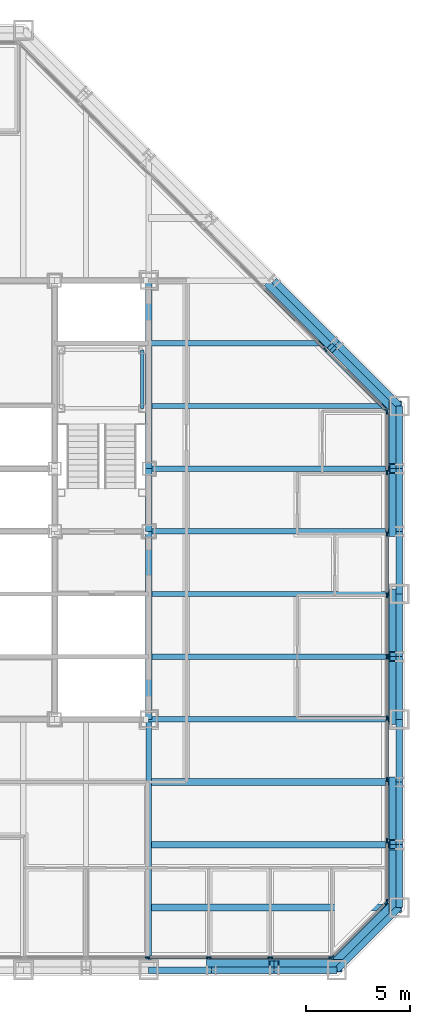
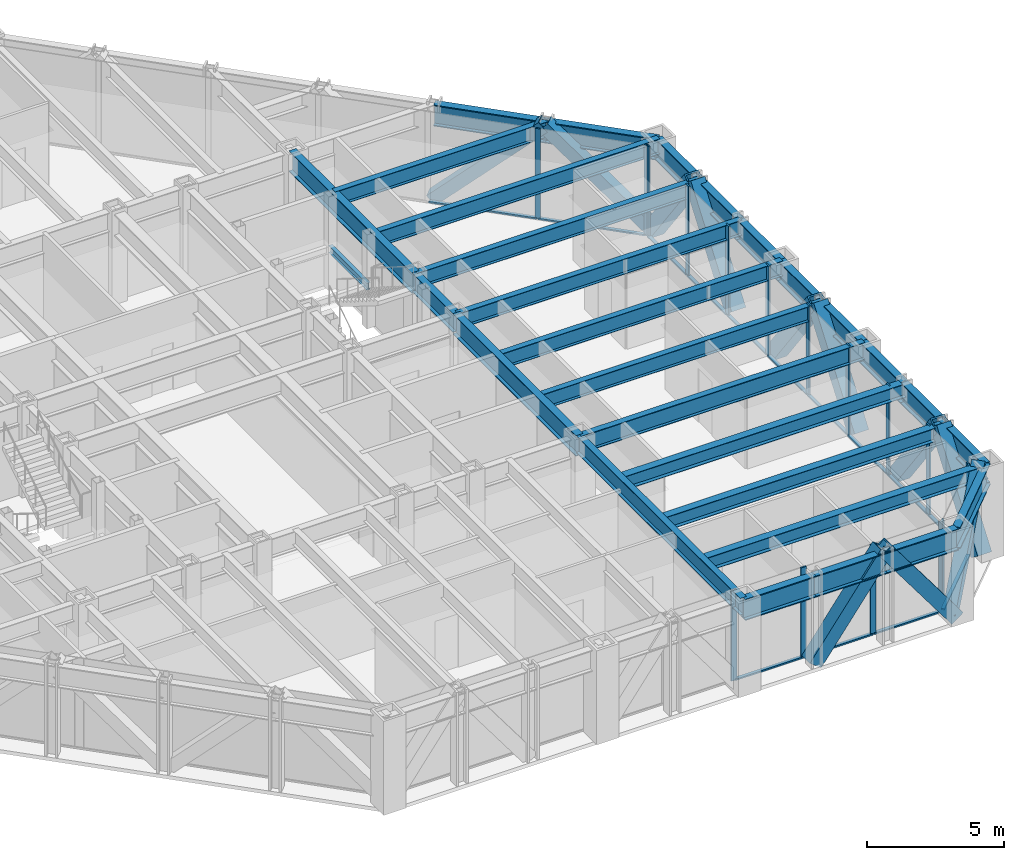
# One storey, part 6 of 16: 42 members, 29 beams, 4 elements without a shape of their own.
"""IFC4 building model written with IfcOpenShell, lengths in metres."""

from ifc_helpers import new_model, si_unit, direction, frame, origin, origin_2d, place, context, subcontext, project, spatial, rectangle, hollow_rectangle, i_section, extrude, material, layer, layer_set, material_profile, profile_set, type_object, element, aggregate, save


model = new_model("IFC4")

# Units and contexts
model_context = context("Model", 3, precision=1e-05, world=origin(), true_north=direction((0.0, 1.0)))
body_context = subcontext(model_context, "Body", "Model", "MODEL_VIEW")
ifc_project = project(units=[si_unit("LENGTHUNIT", "METRE"), si_unit("AREAUNIT", "SQUARE_METRE"), si_unit("VOLUMEUNIT", "CUBIC_METRE"), si_unit("PLANEANGLEUNIT", "RADIAN"), si_unit("MASSUNIT", "GRAM", prefix="KILO")], contexts=[model_context])

# Site, building, storey
site_placement = place(None, origin())
site = spatial("IfcSite", under=ifc_project, at=site_placement, CompositionType="ELEMENT")
building_placement = place(site_placement, origin())
building = spatial("IfcBuilding", under=site, at=building_placement, Name="Chuquiago Exchange Tower", CompositionType="ELEMENT")
storey_placement = place(building_placement, frame((0.0, 0.0, 157.199951171875)))
storey = spatial("IfcBuildingStorey", under=building, at=storey_placement, Name="L34", CompositionType="ELEMENT", Elevation=157.199951171875)

# Beams
ifc_material_1 = material(Name="Steel ASTM A992", Category="steel")
ifc_material_profile_1 = material_profile(ifc_material_1, i_section(OverallWidth=0.25390625, OverallDepth=0.683349609375, WebThickness=0.012451171875, FlangeThickness=0.018798828125, at=origin_2d()), Name="W27X94")
ifc_profile_set_1 = profile_set([ifc_material_profile_1], Name="Steel ASTM A992")
beam_type_1 = type_object("IfcBeamType", Name="B1 W27X94", PredefinedType="BEAM", material=ifc_profile_set_1)
for number, where, z_axis, x_axis, name in (
    (1, (33.0, 15.0, 3.698486328125), (1.0, 0.0, 0.0), (0.0, 1.0, 0.0), "FB-L35-infill-33_15-45_15-0"),
    (2, (33.0, 18.0, 3.698486328125), (1.0, 0.0, 0.0), (0.0, 1.0, 0.0), "FB-L35-infill-33_18-45_18-0"),
    (3, (33.0, 21.0, 3.698486328125), (1.0, 0.0, 0.0), (0.0, 1.0, 0.0), "FB-L35-infill-33_21-45_21-0"),
    (4, (33.0, 24.0, 3.698486328125), (1.0, 0.0, 0.0), (0.0, 1.0, 0.0), "FB-L35-infill-33_24-45_24-0"),
    (5, (33.0, 27.0, 3.698486328125), (1.0, 0.0, 0.0), (0.0, 1.0, 0.0), "FB-L35-infill-33_27-45_27-0"),
):
    element("IfcBeam", number, at=place(storey_placement, frame(where, z_axis=z_axis, x_axis=x_axis)), inside=storey, type_object=beam_type_1, Name=name, PredefinedType="BEAM", context=body_context, shape_type="SweptSolid", body=[
        extrude(i_section(OverallWidth=0.25390625, OverallDepth=0.683349609375, WebThickness=0.012451171875, FlangeThickness=0.018798828125, at=origin_2d()), origin(), (0.0, 0.0, 1.0), 12.0),
    ])
beam_1_placement = place(storey_placement, frame((33.0, 30.0, 3.698486328125), z_axis=(1.0, 0.0, 0.0), x_axis=(0.0, 1.0, 0.0)))
element("IfcBeam", 6, at=beam_1_placement, inside=storey, type_object=beam_type_1, Name="FB-L35-infill-33_30-42_30-0", PredefinedType="BEAM", context=body_context, shape_type="SweptSolid", body=[
    extrude(i_section(OverallWidth=0.25390625, OverallDepth=0.683349609375, WebThickness=0.012451171875, FlangeThickness=0.018798828125, at=origin_2d()), origin(), (0.0, 0.0, 1.0), 9.0),
])
ifc_material_2 = material(Name="Steel ASTM A992", Category="steel")
ifc_material_profile_2 = material_profile(ifc_material_2, i_section(OverallWidth=0.307373046875, OverallDepth=0.927001953125, WebThickness=0.01953125, FlangeThickness=0.031982421875, at=origin_2d()), Name="W36X194")
ifc_profile_set_2 = profile_set([ifc_material_profile_2], Name="Steel ASTM A992")
beam_type_2 = type_object("IfcBeamType", Name="B10 W36X194", PredefinedType="BEAM", material=ifc_profile_set_2)
for number, where, z_axis, x_axis, name in (
    (7, (33.0, 12.0, 3.57666015625), (0.0, 1.0, 0.0), (-1.0, 0.0, 0.0), "CB-L35-33_12-33_21"),
    (8, (33.0, 24.0, 3.57666015625), (0.0, 1.0, 0.0), (-1.0, 0.0, 0.0), "CB-L35-33_24-33_33"),
):
    element("IfcBeam", number, at=place(storey_placement, frame(where, z_axis=z_axis, x_axis=x_axis)), inside=storey, type_object=beam_type_2, Name=name, PredefinedType="BEAM", context=body_context, shape_type="SweptSolid", body=[
        extrude(i_section(OverallWidth=0.307373046875, OverallDepth=0.927001953125, WebThickness=0.01953125, FlangeThickness=0.031982421875, at=origin_2d()), origin(), (0.0, 0.0, 1.0), 9.0),
    ])
ifc_material_3 = material(Name="Steel ASTM A992", Category="steel")
ifc_material_profile_3 = material_profile(ifc_material_3, i_section(OverallWidth=0.3251953125, OverallDepth=0.612060546875, WebThickness=0.0126953125, FlangeThickness=0.01904296875, at=origin_2d()), Name="W24X104")
ifc_profile_set_3 = profile_set([ifc_material_profile_3], Name="Steel ASTM A992")
beam_type_3 = type_object("IfcBeamType", Name="B2 W24X104", PredefinedType="BEAM", material=ifc_profile_set_3)
for number, where, z_axis, x_axis, name in (
    (9, (33.0, 3.0, 3.73388671875), (1.0, 0.0, 0.0), (0.0, 1.0, 0.0), "FB-L35-corner-33_3-45_3-0"),
    (10, (33.0, 6.0, 3.73388671875), (1.0, 0.0, 0.0), (0.0, 1.0, 0.0), "FB-L35-corner-33_6-45_6-0"),
    (11, (33.0, 9.0, 3.73388671875), (1.0, 0.0, 0.0), (0.0, 1.0, 0.0), "FB-L35-corner-33_9-45_9-0"),
):
    element("IfcBeam", number, at=place(storey_placement, frame(where, z_axis=z_axis, x_axis=x_axis)), inside=storey, type_object=beam_type_3, Name=name, PredefinedType="BEAM", context=body_context, shape_type="SweptSolid", body=[
        extrude(i_section(OverallWidth=0.3251953125, OverallDepth=0.612060546875, WebThickness=0.0126953125, FlangeThickness=0.01904296875, at=origin_2d()), origin(), (0.0, 0.0, 1.0), 12.0),
    ])
ifc_material_4 = material(Name="Steel ASTM A992", Category="steel")
ifc_material_profile_4 = material_profile(ifc_material_4, i_section(OverallWidth=0.2919921875, OverallDepth=0.8583984375, WebThickness=0.01708984375, FlangeThickness=0.031005859375, at=origin_2d()), Name="W33X169")
ifc_profile_set_4 = profile_set([ifc_material_profile_4], Name="Steel ASTM A992")
beam_type_4 = type_object("IfcBeamType", Name="B3 W33X169", PredefinedType="BEAM", material=ifc_profile_set_4)
beam_2_placement = place(storey_placement, frame((33.0, 21.0, 3.61083984375), z_axis=(0.0, 1.0, 0.0), x_axis=(-1.0, 0.0, 0.0)))
element("IfcBeam", 12, at=beam_2_placement, inside=storey, type_object=beam_type_4, Name="CB-L35-33_21-33_24", PredefinedType="BEAM", context=body_context, shape_type="SweptSolid", body=[
    extrude(i_section(OverallWidth=0.2919921875, OverallDepth=0.8583984375, WebThickness=0.01708984375, FlangeThickness=0.031005859375, at=origin_2d()), origin(), (0.0, 0.0, 1.0), 3.0),
])

# Curtain wall, members
ifc_material_5 = material(Name="Aluminium curtain wall system", Category="aluminium")
ifc_layer_1 = layer(ifc_material_5, 0.22509765625)
ifc_layer_set_1 = layer_set([ifc_layer_1], Name="CW2 office curtain wall")
curtain_wall_type_1 = type_object("IfcCurtainWallType", Name="CW2 office curtain wall", PredefinedType="NOTDEFINED", material=ifc_layer_set_1)
curtain_wall_1_placement = place(storey_placement, origin())
curtain_wall_1 = element("IfcCurtainWall", 13, at=curtain_wall_1_placement, inside=storey, type_object=curtain_wall_type_1, Name="CW2 curtain wall L34", PredefinedType="NOTDEFINED")
ifc_material_6 = material(Name="Aluminium mullion, pale anodised", Category="aluminium")
ifc_material_profile_5 = material_profile(ifc_material_6, rectangle(XDim=0.06494140625, YDim=0.22509765625, at=origin_2d()), Name="AL 65x225")
ifc_profile_set_5 = profile_set([ifc_material_profile_5], Name="Aluminium mullion, pale anodised")
member_type_1 = type_object("IfcMemberType", Name="CW2-M mullion 65x225", PredefinedType="MULLION", material=ifc_profile_set_5)
member_1_placement = place(storey_placement, frame((32.93798828125, 0.60009765625, 0.0), z_axis=(0.0, 0.0, 1.0), x_axis=(0.0, 1.0, 0.0)))
member_1 = element("IfcMember", 14, at=member_1_placement, type_object=member_type_1, Name="CW2 mullion 6", PredefinedType="MULLION", context=body_context, shape_type="SweptSolid", body=[
    extrude(rectangle(XDim=0.06494140625, YDim=0.22509765625, at=origin_2d()), origin(), (0.0, 0.0, 1.0), 4.0400390625),
])
member_2_placement = place(storey_placement, frame((35.875732421875, 0.60009765625, 0.0), z_axis=(0.0, 0.0, 1.0), x_axis=(0.0, 1.0, 0.0)))
member_2 = element("IfcMember", 15, at=member_2_placement, type_object=member_type_1, Name="CW2 mullion 7", PredefinedType="MULLION", context=body_context, shape_type="SweptSolid", body=[
    extrude(rectangle(XDim=0.06494140625, YDim=0.22509765625, at=origin_2d()), origin(), (0.0, 0.0, 1.0), 4.0400390625),
])
member_3_placement = place(storey_placement, frame((38.813720703125, 0.60009765625, 0.0), z_axis=(0.0, 0.0, 1.0), x_axis=(0.0, 1.0, 0.0)))
member_3 = element("IfcMember", 16, at=member_3_placement, type_object=member_type_1, Name="CW2 mullion 8", PredefinedType="MULLION", context=body_context, shape_type="SweptSolid", body=[
    extrude(rectangle(XDim=0.06494140625, YDim=0.22509765625, at=origin_2d()), origin(), (0.0, 0.0, 1.0), 4.0400390625),
])
member_4_placement = place(storey_placement, frame((41.718994140625, 0.60009765625, 0.0), z_axis=(0.0, 0.0, 1.0), x_axis=(0.0, 1.0, 0.0)))
member_4 = element("IfcMember", 17, at=member_4_placement, type_object=member_type_1, Name="CW2 mullion 9", PredefinedType="MULLION", context=body_context, shape_type="SweptSolid", body=[
    extrude(rectangle(XDim=0.06494140625, YDim=0.22509765625, at=origin_2d()), origin(), (0.0, 0.0, 1.0), 4.0400390625),
])

curtain_wall_2_placement = place(storey_placement, origin())
curtain_wall_2 = element("IfcCurtainWall", 18, at=curtain_wall_2_placement, inside=storey, type_object=curtain_wall_type_1, Name="CW2 curtain wall L34", PredefinedType="NOTDEFINED")
member_5_placement = place(storey_placement, frame((44.39990234375, 3.281005859375, 0.0), z_axis=(0.0, 0.0, 1.0), x_axis=(-1.0, 0.0, 0.0)))
member_5 = element("IfcMember", 19, at=member_5_placement, type_object=member_type_1, Name="CW2 mullion 1", PredefinedType="MULLION", context=body_context, shape_type="SweptSolid", body=[
    extrude(rectangle(XDim=0.06494140625, YDim=0.22509765625, at=origin_2d()), origin(), (0.0, 0.0, 1.0), 4.0400390625),
])
member_6_placement = place(storey_placement, frame((44.39990234375, 6.186279296875, 0.0), z_axis=(0.0, 0.0, 1.0), x_axis=(-1.0, 0.0, 0.0)))
member_6 = element("IfcMember", 20, at=member_6_placement, type_object=member_type_1, Name="CW2 mullion 2", PredefinedType="MULLION", context=body_context, shape_type="SweptSolid", body=[
    extrude(rectangle(XDim=0.06494140625, YDim=0.22509765625, at=origin_2d()), origin(), (0.0, 0.0, 1.0), 4.0400390625),
])
member_7_placement = place(storey_placement, frame((44.39990234375, 9.124267578125, 0.0), z_axis=(0.0, 0.0, 1.0), x_axis=(-1.0, 0.0, 0.0)))
member_7 = element("IfcMember", 21, at=member_7_placement, type_object=member_type_1, Name="CW2 mullion 3", PredefinedType="MULLION", context=body_context, shape_type="SweptSolid", body=[
    extrude(rectangle(XDim=0.06494140625, YDim=0.22509765625, at=origin_2d()), origin(), (0.0, 0.0, 1.0), 4.0400390625),
])
member_8_placement = place(storey_placement, frame((44.39990234375, 12.06201171875, 0.0), z_axis=(0.0, 0.0, 1.0), x_axis=(-1.0, 0.0, 0.0)))
member_8 = element("IfcMember", 22, at=member_8_placement, type_object=member_type_1, Name="CW2 mullion 4", PredefinedType="MULLION", context=body_context, shape_type="SweptSolid", body=[
    extrude(rectangle(XDim=0.06494140625, YDim=0.22509765625, at=origin_2d()), origin(), (0.0, 0.0, 1.0), 4.0400390625),
])
member_9_placement = place(storey_placement, frame((44.39990234375, 15.0, 0.0), z_axis=(0.0, 0.0, 1.0), x_axis=(-1.0, 0.0, 0.0)))
member_9 = element("IfcMember", 23, at=member_9_placement, type_object=member_type_1, Name="CW2 mullion 5", PredefinedType="MULLION", context=body_context, shape_type="SweptSolid", body=[
    extrude(rectangle(XDim=0.06494140625, YDim=0.22509765625, at=origin_2d()), origin(), (0.0, 0.0, 1.0), 4.0400390625),
])
member_10_placement = place(storey_placement, frame((44.39990234375, 17.93798828125, 0.0), z_axis=(0.0, 0.0, 1.0), x_axis=(-1.0, 0.0, 0.0)))
member_10 = element("IfcMember", 24, at=member_10_placement, type_object=member_type_1, Name="CW2 mullion 6", PredefinedType="MULLION", context=body_context, shape_type="SweptSolid", body=[
    extrude(rectangle(XDim=0.06494140625, YDim=0.22509765625, at=origin_2d()), origin(), (0.0, 0.0, 1.0), 4.0400390625),
])
member_11_placement = place(storey_placement, frame((44.39990234375, 20.875732421875, 0.0), z_axis=(0.0, 0.0, 1.0), x_axis=(-1.0, 0.0, 0.0)))
member_11 = element("IfcMember", 25, at=member_11_placement, type_object=member_type_1, Name="CW2 mullion 7", PredefinedType="MULLION", context=body_context, shape_type="SweptSolid", body=[
    extrude(rectangle(XDim=0.06494140625, YDim=0.22509765625, at=origin_2d()), origin(), (0.0, 0.0, 1.0), 4.0400390625),
])
member_12_placement = place(storey_placement, frame((44.39990234375, 23.813720703125, 0.0), z_axis=(0.0, 0.0, 1.0), x_axis=(-1.0, 0.0, 0.0)))
member_12 = element("IfcMember", 26, at=member_12_placement, type_object=member_type_1, Name="CW2 mullion 8", PredefinedType="MULLION", context=body_context, shape_type="SweptSolid", body=[
    extrude(rectangle(XDim=0.06494140625, YDim=0.22509765625, at=origin_2d()), origin(), (0.0, 0.0, 1.0), 4.0400390625),
])
member_13_placement = place(storey_placement, frame((44.39990234375, 26.718994140625, 0.0), z_axis=(0.0, 0.0, 1.0), x_axis=(-1.0, 0.0, 0.0)))
member_13 = element("IfcMember", 27, at=member_13_placement, type_object=member_type_1, Name="CW2 mullion 9", PredefinedType="MULLION", context=body_context, shape_type="SweptSolid", body=[
    extrude(rectangle(XDim=0.06494140625, YDim=0.22509765625, at=origin_2d()), origin(), (0.0, 0.0, 1.0), 4.0400390625),
])

# Member
ifc_material_7 = material(Name="Aluminium transom, pale anodised", Category="aluminium")
ifc_material_profile_6 = material_profile(ifc_material_7, rectangle(XDim=0.139892578125, YDim=0.06494140625, at=origin_2d()), Name="AL 140x65")
ifc_profile_set_6 = profile_set([ifc_material_profile_6], Name="Aluminium transom, pale anodised")
member_type_2 = type_object("IfcMemberType", Name="CW2-T transom 65x140", PredefinedType="MULLION", material=ifc_profile_set_6)
member_14_placement = place(storey_placement, frame((32.970458984375, 0.60009765625, 0.032470703125), z_axis=(1.0, 0.0, 0.0), x_axis=(0.0, 1.0, 0.0)))
member_14 = element("IfcMember", 28, at=member_14_placement, type_object=member_type_2, Name="CW2 transom 6.1", PredefinedType="MULLION", context=body_context, shape_type="SweptSolid", body=[
    extrude(rectangle(XDim=0.139892578125, YDim=0.06494140625, at=origin_2d()), origin(), (0.0, 0.0, 1.0), 2.872802734375),
])

member_15_placement = place(storey_placement, frame((35.908203125, 0.60009765625, 0.032470703125), z_axis=(1.0, 0.0, 0.0), x_axis=(0.0, 1.0, 0.0)))
member_15 = element("IfcMember", 29, at=member_15_placement, type_object=member_type_2, Name="CW2 transom 7.1", PredefinedType="MULLION", context=body_context, shape_type="SweptSolid", body=[
    extrude(rectangle(XDim=0.139892578125, YDim=0.06494140625, at=origin_2d()), origin(), (0.0, 0.0, 1.0), 2.872802734375),
])

member_16_placement = place(storey_placement, frame((38.84619140625, 0.60009765625, 0.032470703125), z_axis=(1.0, 0.0, 0.0), x_axis=(0.0, 1.0, 0.0)))
member_16 = element("IfcMember", 30, at=member_16_placement, type_object=member_type_2, Name="CW2 transom 8.1", PredefinedType="MULLION", context=body_context, shape_type="SweptSolid", body=[
    extrude(rectangle(XDim=0.139892578125, YDim=0.06494140625, at=origin_2d()), origin(), (0.0, 0.0, 1.0), 2.84033203125),
])

aggregate(curtain_wall_1, [member_1, member_2, member_3, member_4, member_14, member_15, member_16])

member_17_placement = place(storey_placement, frame((44.39990234375, 3.3134765625, 0.032470703125), z_axis=(0.0, 1.0, 0.0), x_axis=(-1.0, 0.0, 0.0)))
member_17 = element("IfcMember", 31, at=member_17_placement, type_object=member_type_2, Name="CW2 transom 1.1", PredefinedType="MULLION", context=body_context, shape_type="SweptSolid", body=[
    extrude(rectangle(XDim=0.139892578125, YDim=0.06494140625, at=origin_2d()), origin(), (0.0, 0.0, 1.0), 2.84033203125),
])

member_18_placement = place(storey_placement, frame((44.39990234375, 6.218994140625, 0.032470703125), z_axis=(0.0, 1.0, 0.0), x_axis=(-1.0, 0.0, 0.0)))
member_18 = element("IfcMember", 32, at=member_18_placement, type_object=member_type_2, Name="CW2 transom 2.1", PredefinedType="MULLION", context=body_context, shape_type="SweptSolid", body=[
    extrude(rectangle(XDim=0.139892578125, YDim=0.06494140625, at=origin_2d()), origin(), (0.0, 0.0, 1.0), 2.872802734375),
])

member_19_placement = place(storey_placement, frame((44.39990234375, 9.15673828125, 0.032470703125), z_axis=(0.0, 1.0, 0.0), x_axis=(-1.0, 0.0, 0.0)))
member_19 = element("IfcMember", 33, at=member_19_placement, type_object=member_type_2, Name="CW2 transom 3.1", PredefinedType="MULLION", context=body_context, shape_type="SweptSolid", body=[
    extrude(rectangle(XDim=0.139892578125, YDim=0.06494140625, at=origin_2d()), origin(), (0.0, 0.0, 1.0), 2.872802734375),
])

member_20_placement = place(storey_placement, frame((44.39990234375, 12.0947265625, 0.032470703125), z_axis=(0.0, 1.0, 0.0), x_axis=(-1.0, 0.0, 0.0)))
member_20 = element("IfcMember", 34, at=member_20_placement, type_object=member_type_2, Name="CW2 transom 4.1", PredefinedType="MULLION", context=body_context, shape_type="SweptSolid", body=[
    extrude(rectangle(XDim=0.139892578125, YDim=0.06494140625, at=origin_2d()), origin(), (0.0, 0.0, 1.0), 2.872802734375),
])

member_21_placement = place(storey_placement, frame((44.39990234375, 15.032470703125, 0.032470703125), z_axis=(0.0, 1.0, 0.0), x_axis=(-1.0, 0.0, 0.0)))
member_21 = element("IfcMember", 35, at=member_21_placement, type_object=member_type_2, Name="CW2 transom 5.1", PredefinedType="MULLION", context=body_context, shape_type="SweptSolid", body=[
    extrude(rectangle(XDim=0.139892578125, YDim=0.06494140625, at=origin_2d()), origin(), (0.0, 0.0, 1.0), 2.872802734375),
])

member_22_placement = place(storey_placement, frame((44.39990234375, 17.970458984375, 0.032470703125), z_axis=(0.0, 1.0, 0.0), x_axis=(-1.0, 0.0, 0.0)))
member_22 = element("IfcMember", 36, at=member_22_placement, type_object=member_type_2, Name="CW2 transom 6.1", PredefinedType="MULLION", context=body_context, shape_type="SweptSolid", body=[
    extrude(rectangle(XDim=0.139892578125, YDim=0.06494140625, at=origin_2d()), origin(), (0.0, 0.0, 1.0), 2.872802734375),
])

member_23_placement = place(storey_placement, frame((44.39990234375, 20.908203125, 0.032470703125), z_axis=(0.0, 1.0, 0.0), x_axis=(-1.0, 0.0, 0.0)))
member_23 = element("IfcMember", 37, at=member_23_placement, type_object=member_type_2, Name="CW2 transom 7.1", PredefinedType="MULLION", context=body_context, shape_type="SweptSolid", body=[
    extrude(rectangle(XDim=0.139892578125, YDim=0.06494140625, at=origin_2d()), origin(), (0.0, 0.0, 1.0), 2.872802734375),
])

member_24_placement = place(storey_placement, frame((44.39990234375, 23.84619140625, 0.032470703125), z_axis=(0.0, 1.0, 0.0), x_axis=(-1.0, 0.0, 0.0)))
member_24 = element("IfcMember", 38, at=member_24_placement, type_object=member_type_2, Name="CW2 transom 8.1", PredefinedType="MULLION", context=body_context, shape_type="SweptSolid", body=[
    extrude(rectangle(XDim=0.139892578125, YDim=0.06494140625, at=origin_2d()), origin(), (0.0, 0.0, 1.0), 2.84033203125),
])

aggregate(curtain_wall_2, [member_5, member_6, member_7, member_8, member_9, member_10, member_11, member_12, member_13, member_17, member_18, member_19, member_20, member_21, member_22, member_23, member_24])

# Curtain wall, members
ifc_material_8 = material(Name="Aluminium curtain wall system", Category="aluminium")
ifc_layer_2 = layer(ifc_material_8, 0.199951171875)
ifc_layer_set_2 = layer_set([ifc_layer_2], Name="CW3 facet curtain wall")
curtain_wall_type_2 = type_object("IfcCurtainWallType", Name="CW3 facet curtain wall", PredefinedType="NOTDEFINED", material=ifc_layer_set_2)
curtain_wall_3_placement = place(storey_placement, origin())
curtain_wall_3 = element("IfcCurtainWall", 39, at=curtain_wall_3_placement, inside=storey, type_object=curtain_wall_type_2, Name="CW3 curtain wall L34", PredefinedType="NOTDEFINED")
ifc_material_9 = material(Name="Aluminium mullion, pale anodised", Category="aluminium")
ifc_material_profile_7 = material_profile(ifc_material_9, rectangle(XDim=0.06494140625, YDim=0.199951171875, at=origin_2d()), Name="AL 65x200")
ifc_profile_set_7 = profile_set([ifc_material_profile_7], Name="Aluminium mullion, pale anodised")
member_type_3 = type_object("IfcMemberType", Name="CW3-M mullion 65x200", PredefinedType="MULLION", material=ifc_profile_set_7)
member_25_placement = place(storey_placement, frame((41.7744140625, 0.623046875, 0.0), z_axis=(0.0, 0.0, 1.0), x_axis=(-0.707106781187, 0.707106781187, 0.0)))
member_25 = element("IfcMember", 40, at=member_25_placement, type_object=member_type_3, Name="CW3 mullion 1", PredefinedType="MULLION", context=body_context, shape_type="SweptSolid", body=[
    extrude(rectangle(XDim=0.06494140625, YDim=0.199951171875, at=origin_2d()), origin(), (0.0, 0.0, 1.0), 4.0400390625),
])
member_26_placement = place(storey_placement, frame((44.376953125, 3.2255859375, 0.0), z_axis=(0.0, 0.0, 1.0), x_axis=(-0.707106781187, 0.707106781187, 0.0)))
member_26 = element("IfcMember", 41, at=member_26_placement, type_object=member_type_3, Name="CW3 mullion 2", PredefinedType="MULLION", context=body_context, shape_type="SweptSolid", body=[
    extrude(rectangle(XDim=0.06494140625, YDim=0.199951171875, at=origin_2d()), origin(), (0.0, 0.0, 1.0), 4.0400390625),
])

curtain_wall_4_placement = place(storey_placement, origin())
curtain_wall_4 = element("IfcCurtainWall", 42, at=curtain_wall_4_placement, inside=storey, type_object=curtain_wall_type_2, Name="CW3 curtain wall L34", PredefinedType="NOTDEFINED")
member_27_placement = place(storey_placement, frame((44.376953125, 26.7744140625, 0.0), z_axis=(0.0, 0.0, 1.0), x_axis=(-0.707106781187, -0.707106781187, 0.0)))
member_27 = element("IfcMember", 43, at=member_27_placement, type_object=member_type_3, Name="CW3 mullion 1", PredefinedType="MULLION", context=body_context, shape_type="SweptSolid", body=[
    extrude(rectangle(XDim=0.06494140625, YDim=0.199951171875, at=origin_2d()), origin(), (0.0, 0.0, 1.0), 4.0400390625),
])
member_28_placement = place(storey_placement, frame((41.45849609375, 29.69287109375, 0.0), z_axis=(0.0, 0.0, 1.0), x_axis=(-0.707106781187, -0.707106781187, 0.0)))
member_28 = element("IfcMember", 44, at=member_28_placement, type_object=member_type_3, Name="CW3 mullion 2", PredefinedType="MULLION", context=body_context, shape_type="SweptSolid", body=[
    extrude(rectangle(XDim=0.06494140625, YDim=0.199951171875, at=origin_2d()), origin(), (0.0, 0.0, 1.0), 4.0400390625),
])

# Member
ifc_material_10 = material(Name="Aluminium transom, pale anodised", Category="aluminium")
ifc_material_profile_8 = material_profile(ifc_material_10, rectangle(XDim=0.139892578125, YDim=0.06494140625, at=origin_2d()), Name="AL 140x65")
ifc_profile_set_8 = profile_set([ifc_material_profile_8], Name="Aluminium transom, pale anodised")
member_type_4 = type_object("IfcMemberType", Name="CW3-T transom 65x140", PredefinedType="MULLION", material=ifc_profile_set_8)
member_29_placement = place(storey_placement, frame((41.79736328125, 0.64599609375, 0.032470703125), z_axis=(0.707106781187, 0.707106781187, 0.0), x_axis=(-0.707106781187, 0.707106781187, 0.0)))
member_29 = element("IfcMember", 45, at=member_29_placement, type_object=member_type_4, Name="CW3 transom 1.1", PredefinedType="MULLION", context=body_context, shape_type="SweptSolid", body=[
    extrude(rectangle(XDim=0.139892578125, YDim=0.06494140625, at=origin_2d()), origin(), (0.0, 0.0, 1.0), 3.61572265625),
])

aggregate(curtain_wall_3, [member_25, member_26, member_29])

member_30_placement = place(storey_placement, frame((44.35400390625, 26.79736328125, 0.032470703125), z_axis=(-0.707106781187, 0.707106781187, 0.0), x_axis=(-0.707106781187, -0.707106781187, 0.0)))
member_30 = element("IfcMember", 46, at=member_30_placement, type_object=member_type_4, Name="CW3 transom 1.1", PredefinedType="MULLION", context=body_context, shape_type="SweptSolid", body=[
    extrude(rectangle(XDim=0.139892578125, YDim=0.06494140625, at=origin_2d()), origin(), (0.0, 0.0, 1.0), 4.0625),
])

member_31_placement = place(storey_placement, frame((41.435546875, 29.7158203125, 0.032470703125), z_axis=(-0.707106781187, 0.707106781187, 0.0), x_axis=(-0.707106781187, -0.707106781187, 0.0)))
member_31 = element("IfcMember", 47, at=member_31_placement, type_object=member_type_4, Name="CW3 transom 2.1", PredefinedType="MULLION", context=body_context, shape_type="SweptSolid", body=[
    extrude(rectangle(XDim=0.139892578125, YDim=0.06494140625, at=origin_2d()), origin(), (0.0, 0.0, 1.0), 4.094970703125),
])

aggregate(curtain_wall_4, [member_27, member_28, member_30, member_31])

# Beams
ifc_material_11 = material(Name="Steel ASTM A992", Category="steel")
ifc_material_profile_9 = material_profile(ifc_material_11, i_section(OverallWidth=0.2666015625, OverallDepth=0.76953125, WebThickness=0.015625, FlangeThickness=0.025390625, at=origin_2d()), Name="W30X132")
ifc_profile_set_9 = profile_set([ifc_material_profile_9], Name="Steel ASTM A992")
beam_type_5 = type_object("IfcBeamType", Name="G1 W30X132", PredefinedType="BEAM", material=ifc_profile_set_9)
for number, where, z_axis, x_axis, name in (
    (48, (33.0, 12.0, 3.6552734375), (0.0, -1.0, 0.0), (1.0, 0.0, 0.0), "FB-L35-girder-33_12-33_-0-0"),
    (49, (33.0, 12.0, 3.6552734375), (1.0, 0.0, 0.0), (0.0, 1.0, 0.0), "FB-L35-girder-33_12-45_12-0"),
):
    element("IfcBeam", number, at=place(storey_placement, frame(where, z_axis=z_axis, x_axis=x_axis)), inside=storey, type_object=beam_type_5, Name=name, PredefinedType="BEAM", context=body_context, shape_type="SweptSolid", body=[
        extrude(i_section(OverallWidth=0.2666015625, OverallDepth=0.76953125, WebThickness=0.015625, FlangeThickness=0.025390625, at=origin_2d()), origin(), (0.0, 0.0, 1.0), 12.0),
    ])

# Members
ifc_material_12 = material(Name="Steel ASTM A500 Grade C", Category="steel")
ifc_material_profile_10 = material_profile(ifc_material_12, hollow_rectangle(XDim=0.508056640625, YDim=0.508056640625, WallThickness=0.017822265625, at=origin_2d()), Name="HSS20X20X3/4")
ifc_profile_set_10 = profile_set([ifc_material_profile_10], Name="Steel ASTM A500 Grade C")
member_type_5 = type_object("IfcMemberType", Name="LB1 HSS20X20X3/4", PredefinedType="BRACE", material=ifc_profile_set_10)
for number, where, z_axis, x_axis, name in (
    (50, (41.822509765625, 0.177490234375, 0.0), (0.512077265487, 0.512077265487, 0.689604051861), (-0.707106781187, 0.707106781187, 0.0), "LB-L34-42_0-45_3"),
    (51, (44.822509765625, 26.822509765625, 0.0), (-0.512077265487, 0.512077265487, 0.689604051861), (-0.707106781187, -0.707106781187, 0.0), "LB-L34-45_27-42_30"),
    (52, (38.822509765625, 32.822509765625, 0.0), (0.512077265487, -0.512077265487, 0.689604051861), (0.707106781187, 0.707106781187, 0.0), "LB-L34-42_30-39_33"),
):
    element("IfcMember", number, at=place(storey_placement, frame(where, z_axis=z_axis, x_axis=x_axis)), inside=storey, type_object=member_type_5, Name=name, PredefinedType="BRACE", context=body_context, shape_type="SweptSolid", body=[
        extrude(hollow_rectangle(XDim=0.508056640625, YDim=0.508056640625, WallThickness=0.017822265625, at=origin_2d()), origin(), (0.0, 0.0, 1.0), 5.8583984375),
    ])

# Beam
ifc_material_13 = material(Name="Steel ASTM A992", Category="steel")
ifc_material_profile_11 = material_profile(ifc_material_13, i_section(OverallWidth=0.164794921875, OverallDepth=0.309814453125, WebThickness=0.005859375, FlangeThickness=0.009765625, at=origin_2d()), Name="W12X26")
ifc_profile_set_11 = profile_set([ifc_material_profile_11], Name="Steel ASTM A992")
beam_type_6 = type_object("IfcBeamType", Name="LS1 W12X26", PredefinedType="BEAM", material=ifc_profile_set_11)
beam_3_placement = place(storey_placement, frame((32.68994140625, 26.889892578125, 1.7451171875), z_axis=(0.0, 1.0, 0.0), x_axis=(-1.0, 0.0, 0.0)))
element("IfcBeam", 53, at=beam_3_placement, inside=storey, type_object=beam_type_6, Name="Stair ST2 L34 landing 1 stringer", PredefinedType="BEAM", context=body_context, shape_type="SweptSolid", body=[
    extrude(i_section(OverallWidth=0.164794921875, OverallDepth=0.309814453125, WebThickness=0.005859375, FlangeThickness=0.009765625, at=origin_2d()), origin(), (0.0, 0.0, 1.0), 2.800048828125),
])

# Members
ifc_material_14 = material(Name="Steel ASTM A572 Grade 50", Category="steel")
ifc_material_profile_12 = material_profile(ifc_material_14, hollow_rectangle(XDim=0.60009765625, YDim=0.60009765625, WallThickness=0.06005859375, at=origin_2d()), Name="BOX600X600X60")
ifc_profile_set_12 = profile_set([ifc_material_profile_12], Name="Steel ASTM A572 Grade 50")
member_type_6 = type_object("IfcMemberType", Name="MB2 BOX600X600X60", PredefinedType="BRACE", material=ifc_profile_set_12)
for number, where, z_axis, x_axis, name in (
    (54, (36.0, 0.205078125, 0.0), (0.596173923302, 0.0, 0.802855312728), (0.0, 1.0, 0.0), "Mega diagonal L34 S face"),
    (55, (42.0, 0.205078125, 0.0), (-0.596173923302, 0.0, 0.802855312728), (0.0, -1.0, 0.0), "Mega diagonal L34 S face"),
    (56, (44.794921875, 3.0, 0.0), (0.0, 0.596173923302, 0.802855312728), (-1.0, 0.0, 0.0), "Mega diagonal L34 E face"),
    (57, (44.794921875, 9.0, 0.0), (0.0, -0.596173923302, 0.802855312728), (1.0, 0.0, 0.0), "Mega diagonal L34 E face"),
    (58, (44.794921875, 12.0, 0.0), (0.0, 0.596173923302, 0.802855312728), (-1.0, 0.0, 0.0), "Mega diagonal L34 E face"),
    (59, (44.794921875, 18.0, 0.0), (0.0, -0.596173923302, 0.802855312728), (1.0, 0.0, 0.0), "Mega diagonal L34 E face"),
    (60, (44.794921875, 21.0, 0.0), (0.0, 0.596173923302, 0.802855312728), (-1.0, 0.0, 0.0), "Mega diagonal L34 E face"),
    (61, (44.794921875, 27.0, 0.0), (0.0, -0.596173923302, 0.802855312728), (1.0, 0.0, 0.0), "Mega diagonal L34 E face"),
):
    element("IfcMember", number, at=place(storey_placement, frame(where, z_axis=z_axis, x_axis=x_axis)), inside=storey, type_object=member_type_6, Name=name, PredefinedType="BRACE", context=body_context, shape_type="SweptSolid", body=[
        extrude(hollow_rectangle(XDim=0.60009765625, YDim=0.60009765625, WallThickness=0.06005859375, at=origin_2d()), origin(), (0.0, 0.0, 1.0), 5.031982421875),
    ])

# Beams
ifc_material_15 = material(Name="Steel ASTM A992", Category="steel")
ifc_material_profile_13 = material_profile(ifc_material_15, i_section(OverallWidth=0.309814453125, OverallDepth=0.949951171875, WebThickness=0.0244140625, FlangeThickness=0.0439453125, at=origin_2d()), Name="W36X256")
ifc_profile_set_13 = profile_set([ifc_material_profile_13], Name="Steel ASTM A992")
beam_type_7 = type_object("IfcBeamType", Name="SP2 W36X256", PredefinedType="SPANDREL", material=ifc_profile_set_13)
for number, where, z_axis, x_axis, name in (
    (62, (33.0, 0.0, 3.56494140625), (1.0, 0.0, 0.0), (0.0, 1.0, 0.0), "SPB-L35-33_0-36_0"),
    (63, (36.0, 0.0, 3.56494140625), (1.0, 0.0, 0.0), (0.0, 1.0, 0.0), "SPB-L35-36_0-39_0"),
    (64, (39.0, 0.0, 3.56494140625), (1.0, 0.0, 0.0), (0.0, 1.0, 0.0), "SPB-L35-39_0-42_0"),
):
    element("IfcBeam", number, at=place(storey_placement, frame(where, z_axis=z_axis, x_axis=x_axis)), inside=storey, type_object=beam_type_7, Name=name, PredefinedType="SPANDREL", context=body_context, shape_type="SweptSolid", body=[
        extrude(i_section(OverallWidth=0.309814453125, OverallDepth=0.949951171875, WebThickness=0.0244140625, FlangeThickness=0.0439453125, at=origin_2d()), origin(), (0.0, 0.0, 1.0), 3.0),
    ])
beam_4_placement = place(storey_placement, frame((42.0, 0.0, 3.56494140625), z_axis=(0.707106781187, 0.707106781187, 0.0), x_axis=(-0.707106781187, 0.707106781187, 0.0)))
element("IfcBeam", 65, at=beam_4_placement, inside=storey, type_object=beam_type_7, Name="SPB-L35-42_0-45_3", PredefinedType="SPANDREL", context=body_context, shape_type="SweptSolid", body=[
    extrude(i_section(OverallWidth=0.309814453125, OverallDepth=0.949951171875, WebThickness=0.0244140625, FlangeThickness=0.0439453125, at=origin_2d()), origin(), (0.0, 0.0, 1.0), 4.24267578125),
])
for number, where, z_axis, x_axis, name in (
    (66, (45.0, 3.0, 3.56494140625), (0.0, 1.0, 0.0), (-1.0, 0.0, 0.0), "SPB-L35-45_3-45_6"),
    (67, (45.0, 6.0, 3.56494140625), (0.0, 1.0, 0.0), (-1.0, 0.0, 0.0), "SPB-L35-45_6-45_9"),
    (68, (45.0, 9.0, 3.56494140625), (0.0, 1.0, 0.0), (-1.0, 0.0, 0.0), "SPB-L35-45_9-45_12"),
    (69, (45.0, 12.0, 3.56494140625), (0.0, 1.0, 0.0), (-1.0, 0.0, 0.0), "SPB-L35-45_12-45_15"),
    (70, (45.0, 15.0, 3.56494140625), (0.0, 1.0, 0.0), (-1.0, 0.0, 0.0), "SPB-L35-45_15-45_18"),
    (71, (45.0, 18.0, 3.56494140625), (0.0, 1.0, 0.0), (-1.0, 0.0, 0.0), "SPB-L35-45_18-45_21"),
    (72, (45.0, 21.0, 3.56494140625), (0.0, 1.0, 0.0), (-1.0, 0.0, 0.0), "SPB-L35-45_21-45_24"),
    (73, (45.0, 24.0, 3.56494140625), (0.0, 1.0, 0.0), (-1.0, 0.0, 0.0), "SPB-L35-45_24-45_27"),
):
    element("IfcBeam", number, at=place(storey_placement, frame(where, z_axis=z_axis, x_axis=x_axis)), inside=storey, type_object=beam_type_7, Name=name, PredefinedType="SPANDREL", context=body_context, shape_type="SweptSolid", body=[
        extrude(i_section(OverallWidth=0.309814453125, OverallDepth=0.949951171875, WebThickness=0.0244140625, FlangeThickness=0.0439453125, at=origin_2d()), origin(), (0.0, 0.0, 1.0), 3.0),
    ])
for number, where, z_axis, x_axis, name in (
    (74, (45.0, 27.0, 3.56494140625), (-0.707106781187, 0.707106781187, 0.0), (-0.707106781187, -0.707106781187, 0.0), "SPB-L35-45_27-42_30"),
    (75, (42.0, 30.0, 3.56494140625), (-0.707106781187, 0.707106781187, 0.0), (-0.707106781187, -0.707106781187, 0.0), "SPB-L35-42_30-39_33"),
):
    element("IfcBeam", number, at=place(storey_placement, frame(where, z_axis=z_axis, x_axis=x_axis)), inside=storey, type_object=beam_type_7, Name=name, PredefinedType="SPANDREL", context=body_context, shape_type="SweptSolid", body=[
        extrude(i_section(OverallWidth=0.309814453125, OverallDepth=0.949951171875, WebThickness=0.0244140625, FlangeThickness=0.0439453125, at=origin_2d()), origin(), (0.0, 0.0, 1.0), 4.24267578125),
    ])

save(model, "model.ifc")
